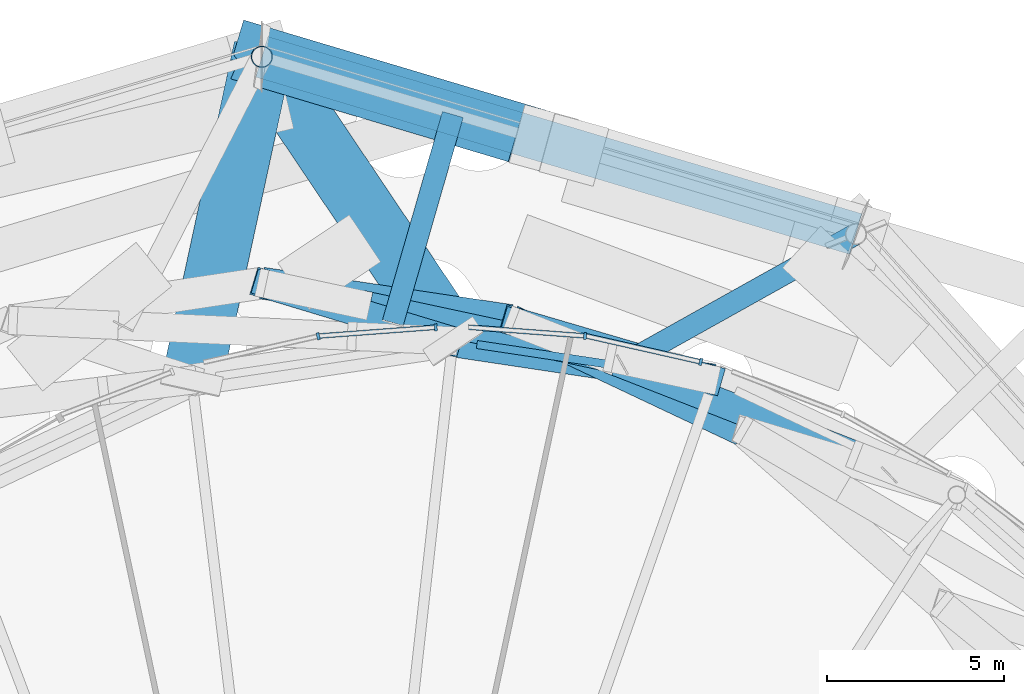
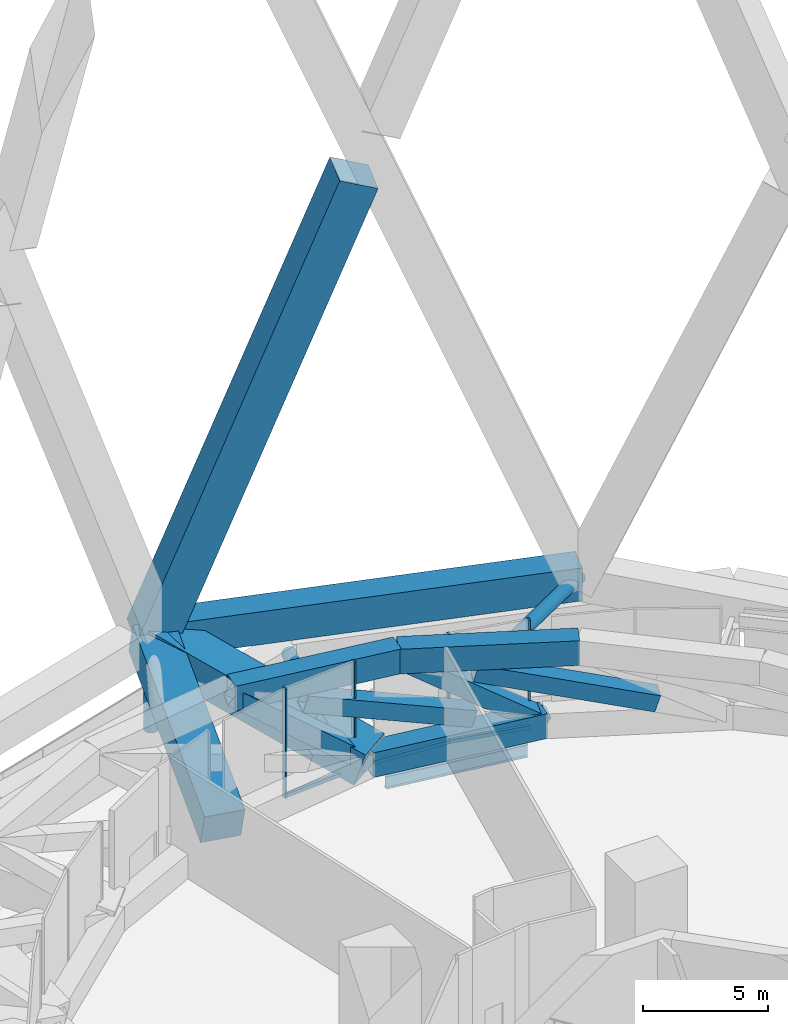
# One storey, part 34 of 51: 14 members, 8 beams, 4 elements without a shape of their own.
"""IFC4 building model written with IfcOpenShell, lengths in metres."""

from ifc_helpers import new_model, si_unit, direction, frame, origin, origin_2d, place, context, subcontext, project, spatial, rectangle, hollow_rectangle, hollow_circle, i_section, extrude, material, layer, layer_set, material_profile, profile_set, type_object, element, aggregate, save


model = new_model("IFC4")

# Units and contexts
model_context = context("Model", 3, precision=1e-05, world=origin(), true_north=direction((0.0, 1.0)))
body_context = subcontext(model_context, "Body", "Model", "MODEL_VIEW")
ifc_project = project(units=[si_unit("LENGTHUNIT", "METRE"), si_unit("AREAUNIT", "SQUARE_METRE"), si_unit("VOLUMEUNIT", "CUBIC_METRE"), si_unit("PLANEANGLEUNIT", "RADIAN"), si_unit("MASSUNIT", "GRAM", prefix="KILO")], contexts=[model_context])

# Site, building, storey
site_placement = place(None, origin())
site = spatial("IfcSite", under=ifc_project, at=site_placement, CompositionType="ELEMENT")
building_placement = place(site_placement, origin())
building = spatial("IfcBuilding", under=site, at=building_placement, Name="Nagisa Residences", CompositionType="ELEMENT")
storey_placement = place(building_placement, frame((0.0, 0.0, 67.699951171875)))
storey = spatial("IfcBuildingStorey", under=building, at=storey_placement, Name="L16", CompositionType="ELEMENT", Elevation=67.699951171875)

# Beams
ifc_material_1 = material(Name="Steel ASTM A572 Gr 50", Category="steel")
ifc_material_profile_1 = material_profile(ifc_material_1, hollow_rectangle(XDim=0.89990234375, YDim=1.199951171875, WallThickness=0.050048828125, at=origin_2d()), Name="BX 900x1200x50")
ifc_profile_set_1 = profile_set([ifc_material_profile_1], Name="Steel ASTM A572 Gr 50")
beam_type_1 = type_object("IfcBeamType", Name="Belt chord 1 BX 900x1200x50", PredefinedType="BEAM", material=ifc_profile_set_1)
beam_1_placement = place(storey_placement, frame((11.797607421875, 29.9775390625, 4.739990234375), z_axis=(-0.904193048846, 0.427124022292, 0.0), x_axis=(-0.427124022292, -0.904193048846, 0.0)))
element("IfcBeam", 1, at=beam_1_placement, inside=storey, type_object=beam_type_1, Name="beam:L16:bt1t05", PredefinedType="BEAM", context=body_context, shape_type="SweptSolid", body=[
    extrude(hollow_rectangle(XDim=0.89990234375, YDim=1.199951171875, WallThickness=0.050048828125, at=origin_2d()), origin(), (0.0, 0.0, 1.0), 7.254150390625),
])
beam_2_placement = place(storey_placement, frame((10.976318359375, 31.392578125, 0.60009765625), z_axis=(-0.988916897536, 0.148470097217, 0.0), x_axis=(-0.148470097217, -0.988916897536, 0.0)))
element("IfcBeam", 2, at=beam_2_placement, inside=storey, type_object=beam_type_1, Name="beam:L16:bt1b06", PredefinedType="BEAM", context=body_context, shape_type="SweptSolid", body=[
    extrude(hollow_rectangle(XDim=0.89990234375, YDim=1.199951171875, WallThickness=0.050048828125, at=origin_2d()), origin(), (0.0, 0.0, 1.0), 7.458984375),
])
beam_3_placement = place(storey_placement, frame((5.238525390625, 33.075927734375, 4.739990234375), z_axis=(-0.988913697291, 0.14849141157, 0.0), x_axis=(-0.14849141157, -0.988913697291, 0.0)))
element("IfcBeam", 3, at=beam_3_placement, inside=storey, type_object=beam_type_1, Name="beam:L16:bt1t06", PredefinedType="BEAM", context=body_context, shape_type="SweptSolid", body=[
    extrude(hollow_rectangle(XDim=0.89990234375, YDim=1.199951171875, WallThickness=0.050048828125, at=origin_2d()), origin(), (0.0, 0.0, 1.0), 7.117431640625),
])
ifc_material_2 = material(Name="Steel ASTM A572 Gr 50", Category="steel")
ifc_material_profile_2 = material_profile(ifc_material_2, hollow_rectangle(XDim=0.800048828125, YDim=0.800048828125, WallThickness=0.044921875, at=origin_2d()), Name="BX 800x800x45")
ifc_profile_set_2 = profile_set([ifc_material_profile_2], Name="Steel ASTM A572 Gr 50")
beam_type_2 = type_object("IfcBeamType", Name="Belt diagonal 1 BX 800x800x45", PredefinedType="BEAM", material=ifc_profile_set_2)
beam_4_placement = place(storey_placement, frame((14.9560546875, 29.277099609375, 1.550048828125), z_axis=(-0.890662705996, 0.348183503013, 0.292383639039), x_axis=(-0.364094008041, -0.931362203071, 0.0)))
element("IfcBeam", 4, at=beam_4_placement, inside=storey, type_object=beam_type_2, Name="beam:L16:bt1db05", PredefinedType="BEAM", context=body_context, shape_type="SweptSolid", body=[
    extrude(hollow_rectangle(XDim=0.800048828125, YDim=0.800048828125, WallThickness=0.044921875, at=origin_2d()), origin(), (0.0, 0.0, 1.0), 7.6611328125),
])
beam_5_placement = place(storey_placement, frame((10.976318359375, 31.392578125, 0.60009765625), z_axis=(-0.788931001352, 0.231456014566, 0.569224023059), x_axis=(-0.281514169205, -0.959557071016, 0.0)))
element("IfcBeam", 5, at=beam_5_placement, inside=storey, type_object=beam_type_2, Name="beam:L16:bt1da06", PredefinedType="BEAM", context=body_context, shape_type="SweptSolid", body=[
    extrude(hollow_rectangle(XDim=0.800048828125, YDim=0.800048828125, WallThickness=0.044921875, at=origin_2d()), origin(), (0.0, 0.0, 1.0), 7.27294921875),
])
beam_6_placement = place(storey_placement, frame((8.044677734375, 32.021240234375, 1.550048828125), z_axis=(-0.932099973449, 0.199916762803, 0.302031335207), x_axis=(-0.209710671029, -0.97776348595, 0.0)))
element("IfcBeam", 6, at=beam_6_placement, inside=storey, type_object=beam_type_2, Name="beam:L16:bt1db06", PredefinedType="BEAM", context=body_context, shape_type="SweptSolid", body=[
    extrude(hollow_rectangle(XDim=0.800048828125, YDim=0.800048828125, WallThickness=0.044921875, at=origin_2d()), origin(), (0.0, 0.0, 1.0), 7.41650390625),
])
beam_7_placement = place(storey_placement, frame((3.60009765625, 32.5, 0.60009765625), z_axis=(-0.771714372987, 0.23333901743, 0.59161628567), x_axis=(-0.289423619341, -0.957201111871, 0.0)))
element("IfcBeam", 7, at=beam_7_placement, inside=storey, type_object=beam_type_2, Name="beam:L16:bt1da07", PredefinedType="BEAM", context=body_context, shape_type="SweptSolid", body=[
    extrude(hollow_rectangle(XDim=0.800048828125, YDim=0.800048828125, WallThickness=0.044921875, at=origin_2d()), origin(), (0.0, 0.0, 1.0), 6.99755859375),
])

# Curtain wall, member
ifc_material_3 = material(Name="Aluminium curtain wall system", Category="aluminium")
ifc_layer = layer(ifc_material_3, 0.159912109375)
ifc_layer_set = layer_set([ifc_layer], Name="CW2 CURTAIN WALL")
curtain_wall_type = type_object("IfcCurtainWallType", Name="CW2 CURTAIN WALL", PredefinedType="NOTDEFINED", material=ifc_layer_set)
curtain_wall_1_placement = place(storey_placement, origin())
curtain_wall_1 = element("IfcCurtainWall", 8, at=curtain_wall_1_placement, inside=storey, type_object=curtain_wall_type, Name="cw:CW2:L16:10", PredefinedType="NOTDEFINED")
ifc_material_4 = material(Name="Aluminium", Category="aluminium")
ifc_material_profile_3 = material_profile(ifc_material_4, rectangle(XDim=0.199951171875, YDim=0.080078125, at=origin_2d()), Name="CW2 MULLION 200x80")
ifc_profile_set_3 = profile_set([ifc_material_profile_3], Name="Aluminium")
member_type_1 = type_object("IfcMemberType", Name="CW2 MULLION 200x80", PredefinedType="MULLION", material=ifc_profile_set_3)
member_1_placement = place(storey_placement, frame((10.610107421875, 31.90576171875, 0.0), z_axis=(0.0, 0.0, 1.0), x_axis=(-0.2207639201, -0.975327274089, 0.0)))
member_1 = element("IfcMember", 9, at=member_1_placement, type_object=member_type_1, Name="CW2 mullion", PredefinedType="MULLION", context=body_context, shape_type="SweptSolid", body=[
    extrude(rectangle(XDim=0.199951171875, YDim=0.080078125, at=origin_2d()), origin(), (0.0, 0.0, 1.0), 5.340087890625),
])

curtain_wall_2_placement = place(storey_placement, origin())
curtain_wall_2 = element("IfcCurtainWall", 10, at=curtain_wall_2_placement, inside=storey, type_object=curtain_wall_type, Name="cw:CW2:L16:11", PredefinedType="NOTDEFINED")
member_2_placement = place(storey_placement, frame((7.33935546875, 32.640869140625, 0.0), z_axis=(0.0, 0.0, 1.0), x_axis=(-0.074377355493, -0.997230168512, 0.0)))
member_2 = element("IfcMember", 11, at=member_2_placement, type_object=member_type_1, Name="CW2 mullion", PredefinedType="MULLION", context=body_context, shape_type="SweptSolid", body=[
    extrude(rectangle(XDim=0.199951171875, YDim=0.080078125, at=origin_2d()), origin(), (0.0, 0.0, 1.0), 5.340087890625),
])

curtain_wall_3_placement = place(storey_placement, origin())
curtain_wall_3 = element("IfcCurtainWall", 12, at=curtain_wall_3_placement, inside=storey, type_object=curtain_wall_type, Name="cw:CW2:L16:12", PredefinedType="NOTDEFINED")
member_3_placement = place(storey_placement, frame((3.1171875, 32.8837890625, 0.0), z_axis=(0.0, 0.0, 1.0), x_axis=(0.074377355493, -0.997230168512, 0.0)))
member_3 = element("IfcMember", 13, at=member_3_placement, type_object=member_type_1, Name="CW2 mullion", PredefinedType="MULLION", context=body_context, shape_type="SweptSolid", body=[
    extrude(rectangle(XDim=0.199951171875, YDim=0.080078125, at=origin_2d()), origin(), (0.0, 0.0, 1.0), 5.340087890625),
])

curtain_wall_4_placement = place(storey_placement, origin())
curtain_wall_4 = element("IfcCurtainWall", 14, at=curtain_wall_4_placement, inside=storey, type_object=curtain_wall_type, Name="cw:CW2:L16:13", PredefinedType="NOTDEFINED")
member_4_placement = place(storey_placement, frame((-0.20654296875, 32.630859375, 0.0), z_axis=(0.0, 0.0, 1.0), x_axis=(0.2207639201, -0.975327274089, 0.0)))
member_4 = element("IfcMember", 15, at=member_4_placement, type_object=member_type_1, Name="CW2 mullion", PredefinedType="MULLION", context=body_context, shape_type="SweptSolid", body=[
    extrude(rectangle(XDim=0.199951171875, YDim=0.080078125, at=origin_2d()), origin(), (0.0, 0.0, 1.0), 5.340087890625),
])
aggregate(curtain_wall_4, [member_4])

# Member
ifc_material_5 = material(Name="Aluminium", Category="aluminium")
ifc_material_profile_4 = material_profile(ifc_material_5, rectangle(XDim=0.139892578125, YDim=0.179931640625, at=origin_2d()), Name="CW2 TRANSOM 140x180")
ifc_profile_set_4 = profile_set([ifc_material_profile_4], Name="Aluminium")
member_type_2 = type_object("IfcMemberType", Name="CW2 TRANSOM 140x180", PredefinedType="USERDEFINED", material=ifc_profile_set_4)
member_5_placement = place(storey_placement, frame((10.649169921875, 31.89697265625, 0.090087890625), z_axis=(-0.975332756984, 0.220739695465, 0.0), x_axis=(-0.220739695465, -0.975332756984, 0.0)))
member_5 = element("IfcMember", 16, at=member_5_placement, type_object=member_type_2, Name="CW2 transom", ObjectType="TRANSOM", PredefinedType="USERDEFINED", context=body_context, shape_type="SweptSolid", body=[
    extrude(rectangle(XDim=0.139892578125, YDim=0.179931640625, at=origin_2d()), origin(), (0.0, 0.0, 1.0), 3.364501953125),
])

aggregate(curtain_wall_1, [member_1, member_5])

member_6_placement = place(storey_placement, frame((7.37939453125, 32.637939453125, 0.090087890625), z_axis=(-0.997232001335, 0.074352777446, 0.0), x_axis=(-0.074352777446, -0.997232001335, 0.0)))
member_6 = element("IfcMember", 17, at=member_6_placement, type_object=member_type_2, Name="CW2 transom", ObjectType="TRANSOM", PredefinedType="USERDEFINED", context=body_context, shape_type="SweptSolid", body=[
    extrude(rectangle(XDim=0.139892578125, YDim=0.179931640625, at=origin_2d()), origin(), (0.0, 0.0, 1.0), 3.345947265625),
])

aggregate(curtain_wall_2, [member_2, member_6])

member_7_placement = place(storey_placement, frame((3.1572265625, 32.88671875, 0.090087890625), z_axis=(-0.997231597908, -0.074358188078, 0.0), x_axis=(0.074358188078, -0.997231597908, 0.0)))
member_7 = element("IfcMember", 18, at=member_7_placement, type_object=member_type_2, Name="CW2 transom", ObjectType="TRANSOM", PredefinedType="USERDEFINED", context=body_context, shape_type="SweptSolid", body=[
    extrude(rectangle(XDim=0.139892578125, YDim=0.179931640625, at=origin_2d()), origin(), (0.0, 0.0, 1.0), 3.345703125),
])

aggregate(curtain_wall_3, [member_3, member_7])

# Members
ifc_material_6 = material(Name="Concrete C80", Category="concrete")
ifc_material_profile_5 = material_profile(ifc_material_6, rectangle(XDim=1.699951171875, YDim=1.699951171875, at=origin_2d()), Name="C80 1700x1700")
ifc_profile_set_5 = profile_set([ifc_material_profile_5], Name="Concrete C80")
member_type_3 = type_object("IfcMemberType", Name="Cage bracket 2 C80 1700x1700", PredefinedType="BRACE", material=ifc_profile_set_5)
member_8_placement = place(storey_placement, frame((-1.800048828125, 40.53271484375, 3.699951171875), z_axis=(-0.200605768346, -0.927767604119, -0.31464996179), x_axis=(0.97741256216, -0.211340207561, 0.0)))
element("IfcMember", 19, at=member_8_placement, inside=storey, type_object=member_type_3, Name="mem:L16:cg1ob01", PredefinedType="BRACE", context=body_context, shape_type="SweptSolid", body=[
    extrude(rectangle(XDim=1.699951171875, YDim=1.699951171875, at=origin_2d()), origin(), (0.0, 0.0, 1.0), 9.851806640625),
])
member_9_placement = place(storey_placement, frame((-1.800048828125, 40.53271484375, 3.699951171875), z_axis=(0.531331432718, -0.7903552059, -0.305000913297), x_axis=(0.829898144324, 0.557914930834, 0.0)))
element("IfcMember", 20, at=member_9_placement, inside=storey, type_object=member_type_3, Name="mem:L16:cg1ob02", PredefinedType="BRACE", context=body_context, shape_type="SweptSolid", body=[
    extrude(rectangle(XDim=1.699951171875, YDim=1.699951171875, at=origin_2d()), origin(), (0.0, 0.0, 1.0), 10.163330078125),
])
ifc_material_7 = material(Name="Concrete C80", Category="concrete")
ifc_material_profile_6 = material_profile(ifc_material_7, rectangle(XDim=1.699951171875, YDim=1.699951171875, at=origin_2d()), Name="C80 1700x1700")
ifc_profile_set_6 = profile_set([ifc_material_profile_6], Name="Concrete C80")
member_type_4 = type_object("IfcMemberType", Name="Cage diagonal 2 C80 1700x1700", PredefinedType="BRACE", material=ifc_profile_set_6)
member_10_placement = place(storey_placement, frame((-1.800048828125, 40.53271484375, 3.699951171875), z_axis=(0.351201722153, -0.104810637429, 0.930415004521), x_axis=(0.285971147664, 0.958238228575, 0.0)))
element("IfcMember", 21, at=member_10_placement, inside=storey, type_object=member_type_4, Name="mem:L16:cg2d006a", PredefinedType="BRACE", context=body_context, shape_type="SweptSolid", body=[
    extrude(rectangle(XDim=1.699951171875, YDim=1.699951171875, at=origin_2d()), origin(), (0.0, 0.0, 1.0), 22.687744140625),
])
ifc_material_8 = material(Name="Concrete C80", Category="concrete")
ifc_material_profile_7 = material_profile(ifc_material_8, rectangle(XDim=1.199951171875, YDim=1.60009765625, at=origin_2d()), Name="C80 1200x1600")
ifc_profile_set_7 = profile_set([ifc_material_profile_7], Name="Concrete C80")
member_type_5 = type_object("IfcMemberType", Name="Cage ring 2 C80 1200x1600", PredefinedType="CHORD", material=ifc_profile_set_7)
member_11_placement = place(storey_placement, frame((14.99755859375, 35.52001953125, 3.699951171875), z_axis=(-0.958242711372, 0.285956126185, 0.0), x_axis=(-0.285956126185, -0.958242711372, 0.0)))
element("IfcMember", 22, at=member_11_placement, inside=storey, type_object=member_type_5, Name="beam:L16:cg2r003", PredefinedType="CHORD", context=body_context, shape_type="SweptSolid", body=[
    extrude(rectangle(XDim=1.199951171875, YDim=1.60009765625, at=origin_2d()), origin(), (0.0, 0.0, 1.0), 17.529541015625),
])
ifc_material_9 = material(Name="Steel ASTM A572 Gr 65", Category="steel")
ifc_material_profile_8 = material_profile(ifc_material_9, hollow_circle(Radius=0.304931640625, WallThickness=0.02490234375, at=origin_2d()), Name="CHS 610x25")
ifc_profile_set_8 = profile_set([ifc_material_profile_8], Name="Steel ASTM A572 Gr 65")
member_type_6 = type_object("IfcMemberType", Name="Cage strut CHS 610x25", PredefinedType="STRUT", material=ifc_profile_set_8)
member_12_placement = place(storey_placement, frame((3.60009765625, 38.89990234375, 1.900146484375), z_axis=(-0.276794163292, -0.960929233174, 0.0), x_axis=(0.960929233174, -0.276794163292, 0.0)))
element("IfcMember", 23, at=member_12_placement, inside=storey, type_object=member_type_6, Name="mem:L16:bt1st1a04", PredefinedType="STRUT", context=body_context, shape_type="SweptSolid", body=[
    extrude(hollow_circle(Radius=0.304931640625, WallThickness=0.02490234375, at=origin_2d()), origin(), (0.0, 0.0, 1.0), 6.12646484375),
])
member_13_placement = place(storey_placement, frame((14.99755859375, 35.52001953125, 3.699951171875), z_axis=(-0.872971021596, -0.487772073261, 0.0), x_axis=(0.487772073261, -0.872971021596, 0.0)))
element("IfcMember", 24, at=member_13_placement, inside=storey, type_object=member_type_6, Name="mem:L16:bt1st2b03", PredefinedType="STRUT", context=body_context, shape_type="SweptSolid", body=[
    extrude(hollow_circle(Radius=0.304931640625, WallThickness=0.02490234375, at=origin_2d()), origin(), (0.0, 0.0, 1.0), 7.5498046875),
])
ifc_material_10 = material(Name="Steel ASTM A572 Gr 65", Category="steel")
ifc_material_profile_9 = material_profile(ifc_material_10, hollow_circle(Radius=0.304931640625, WallThickness=0.02490234375, at=origin_2d()), Name="CHS 610x25")
ifc_profile_set_9 = profile_set([ifc_material_profile_9], Name="Steel ASTM A572 Gr 65")
member_type_7 = type_object("IfcMemberType", Name="Deck hanger CHS 610x25", PredefinedType="POST", material=ifc_profile_set_9)
member_14_placement = place(storey_placement, frame((-1.800048828125, 40.53271484375, 2.900146484375), z_axis=(0.0, 0.0, -1.0), x_axis=(1.0, 0.0, 0.0)))
element("IfcMember", 25, at=member_14_placement, inside=storey, type_object=member_type_7, Name="mem:L16:deckhanger03", PredefinedType="POST", context=body_context, shape_type="SweptSolid", body=[
    extrude(hollow_circle(Radius=0.304931640625, WallThickness=0.02490234375, at=origin_2d()), origin(), (0.0, 0.0, 1.0), 3.7900390625),
])

# Beam
ifc_material_11 = material(Name="Steel ASTM A572 Gr 50", Category="steel")
ifc_material_profile_10 = material_profile(ifc_material_11, i_section(OverallWidth=0.22900390625, OverallDepth=0.612060546875, WebThickness=0.011962890625, FlangeThickness=0.01953125, at=origin_2d()), Name="W610x125")
ifc_profile_set_10 = profile_set([ifc_material_profile_10], Name="Steel ASTM A572 Gr 50")
beam_type_3 = type_object("IfcBeamType", Name="Perimeter ring beam W610x125", PredefinedType="BEAM", material=ifc_profile_set_10)
beam_8_placement = place(storey_placement, frame((10.29638671875, 31.49462890625, -0.656005859375), z_axis=(-0.988914559467, 0.14848566959, 0.0), x_axis=(-0.14848566959, -0.988914559467, 0.0)))
element("IfcBeam", 26, at=beam_8_placement, inside=storey, type_object=beam_type_3, Name="beam:L16:pb06", PredefinedType="BEAM", context=body_context, shape_type="SweptSolid", body=[
    extrude(i_section(OverallWidth=0.22900390625, OverallDepth=0.612060546875, WebThickness=0.011962890625, FlangeThickness=0.01953125, at=origin_2d()), origin(), (0.0, 0.0, 1.0), 6.08349609375),
])

save(model, "model.ifc")
